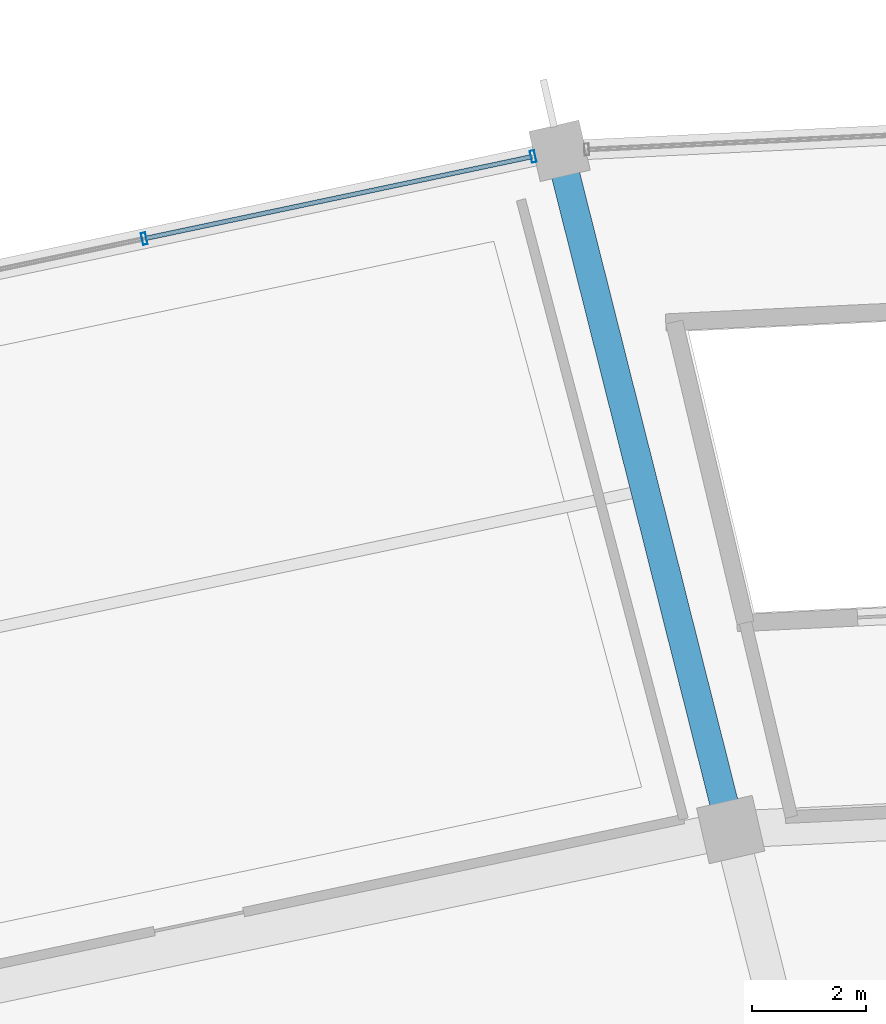
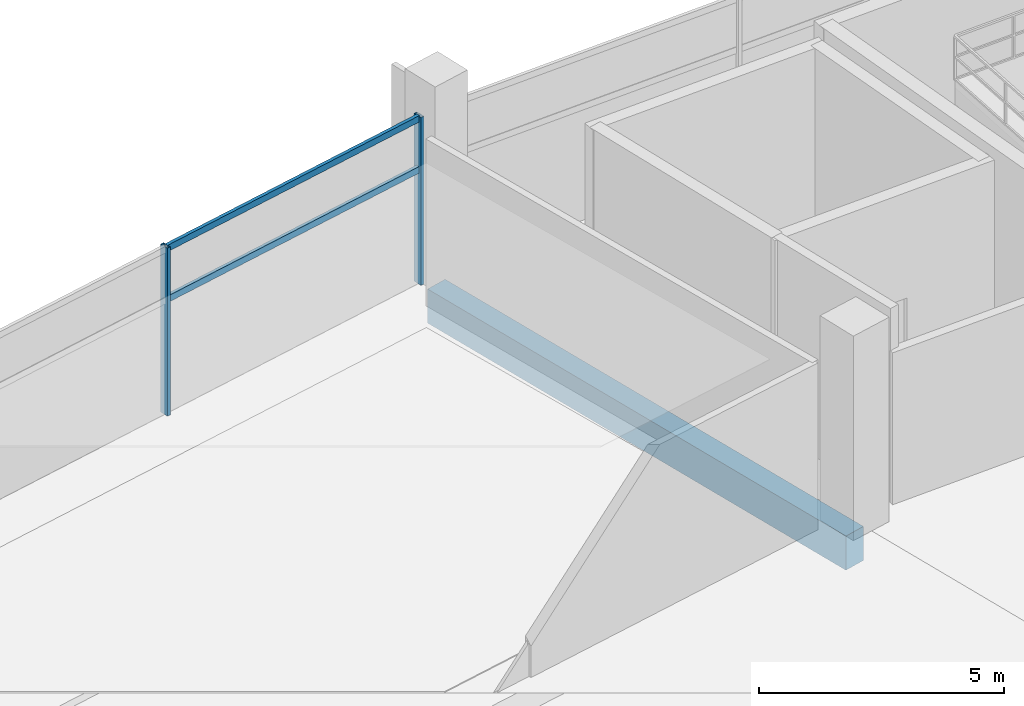
# One storey, part 116 of 184: 4 members, 1 beam, 1 element without a shape of its own.
"""IFC4 building model written with IfcOpenShell, lengths in metres."""

from ifc_helpers import new_model, si_unit, direction, frame, origin, origin_2d, place, context, subcontext, project, spatial, rectangle, hollow_rectangle, extrude, material, layer, layer_set, material_profile, profile_set, type_object, element, aggregate, save


model = new_model("IFC4")

# Units and contexts
model_context = context("Model", 3, precision=1e-05, world=origin(), true_north=direction((0.0, 1.0)))
body_context = subcontext(model_context, "Body", "Model", "MODEL_VIEW")
ifc_project = project(units=[si_unit("LENGTHUNIT", "METRE"), si_unit("AREAUNIT", "SQUARE_METRE"), si_unit("VOLUMEUNIT", "CUBIC_METRE"), si_unit("PLANEANGLEUNIT", "RADIAN"), si_unit("MASSUNIT", "GRAM", prefix="KILO")], contexts=[model_context])

# Site, building, storey
site_placement = place(None, origin())
site = spatial("IfcSite", under=ifc_project, at=site_placement, CompositionType="ELEMENT")
building_placement = place(site_placement, origin())
building = spatial("IfcBuilding", under=site, at=building_placement, Name="Kazemori Nagisa Stadium", CompositionType="ELEMENT")
storey_placement = place(building_placement, frame((0.0, 0.0, 10.5400390625)))
storey = spatial("IfcBuildingStorey", under=building, at=storey_placement, Name="L02", CompositionType="ELEMENT", Elevation=10.5400390625)

# Beam
ifc_material_1 = material(Name="Concrete C40/50 (Fc42)", Category="concrete")
ifc_material_profile_1 = material_profile(ifc_material_1, rectangle(XDim=0.5, YDim=0.85009765625, at=origin_2d()), Name="RC-BM-500x850")
ifc_profile_set_1 = profile_set([ifc_material_profile_1], Name="Concrete C40/50 (Fc42)")
beam_type = type_object("IfcBeamType", Name="Beam_BG-RC500X850", PredefinedType="BEAM", material=ifc_profile_set_1)
beam_placement = place(storey_placement, frame((104.572265625, 175.088623046875, -0.68505859375), z_axis=(-0.244487324834, 0.969652488263, 0.0), x_axis=(-0.969652488263, -0.244487324834, 0.0)))
element("IfcBeam", 1, at=beam_placement, inside=storey, type_object=beam_type, Name="Radial girder BG-RC500X850 L02 R2-R3-09", PredefinedType="BEAM", context=body_context, shape_type="SweptSolid", body=[
    extrude(rectangle(XDim=0.5, YDim=0.85009765625, at=origin_2d()), origin(), (0.0, 0.0, 1.0), 12.2705078125),
])

# Curtain wall, members
ifc_material_2 = material(Name="Anodised aluminium 6063-T5", Category="aluminium")
ifc_layer = layer(ifc_material_2, 0.2099609375, Name="Anodised aluminium 6063-T5", Category="aluminium")
ifc_layer_set = layer_set([ifc_layer], Name="Anodised aluminium 6063-T5")
curtain_wall_type = type_object("IfcCurtainWallType", Name="CW_L02R3_105", PredefinedType="USERDEFINED", material=ifc_layer_set)
curtain_wall_placement = place(storey_placement, origin())
curtain_wall = element("IfcCurtainWall", 2, at=curtain_wall_placement, inside=storey, type_object=curtain_wall_type, Name="Unitised curtain wall CW-L02R3-105 L02", ObjectType="UNITISED CURTAIN WALL", PredefinedType="USERDEFINED")
ifc_material_3 = material(Name="Aluminium 6063-T5 anodised", Category="aluminium")
ifc_material_profile_2 = material_profile(ifc_material_3, hollow_rectangle(XDim=0.080078125, YDim=0.2099609375, WallThickness=0.0048828125, at=origin_2d()), Name="ALU-MULL-80x210x5")
ifc_profile_set_2 = profile_set([ifc_material_profile_2], Name="Aluminium 6063-T5 anodised")
member_type_1 = type_object("IfcMemberType", Name="Mullion_M02", PredefinedType="MULLION", material=ifc_profile_set_2)
member_1_placement = place(storey_placement, frame((101.107666015625, 186.888427734375, 0.0), z_axis=(0.0, 0.0, 1.0), x_axis=(-0.978344955407, -0.206981033502, 0.0)))
member_1 = element("IfcMember", 3, at=member_1_placement, type_object=member_type_1, Name="Curtain wall mullion CW-L02R3-105-M1", PredefinedType="MULLION", context=body_context, shape_type="SweptSolid", body=[
    extrude(hollow_rectangle(XDim=0.080078125, YDim=0.2099609375, WallThickness=0.0048828125, at=origin_2d()), origin(), (0.0, 0.0, 1.0), 4.18994140625),
])
member_2_placement = place(storey_placement, frame((94.291748046875, 185.446533203125, 0.0), z_axis=(0.0, 0.0, 1.0), x_axis=(-0.978344955407, -0.206981033502, 0.0)))
member_2 = element("IfcMember", 4, at=member_2_placement, type_object=member_type_1, Name="Curtain wall mullion CW-L02R3-105-M2", PredefinedType="MULLION", context=body_context, shape_type="SweptSolid", body=[
    extrude(hollow_rectangle(XDim=0.080078125, YDim=0.2099609375, WallThickness=0.0048828125, at=origin_2d()), origin(), (0.0, 0.0, 1.0), 4.18994140625),
])
ifc_material_profile_3 = material_profile(ifc_material_3, hollow_rectangle(XDim=0.080078125, YDim=0.159912109375, WallThickness=0.00390625, at=origin_2d()), Name="ALU-TRAN-80x160x4")
ifc_profile_set_3 = profile_set([ifc_material_profile_3], Name="Aluminium 6063-T5 anodised")
member_type_2 = type_object("IfcMemberType", Name="Transom_T02", PredefinedType="USERDEFINED", material=ifc_profile_set_3)
member_3_placement = place(storey_placement, frame((101.088134765625, 186.88427734375, 2.84912109375), z_axis=(-0.978348879673, -0.20696248366, 0.0), x_axis=(0.20696248366, -0.978348879673, 0.0)))
member_3 = element("IfcMember", 5, at=member_3_placement, type_object=member_type_2, Name="Curtain wall transom CW-L02R3-105-T1-mid", ObjectType="TRANSOM", PredefinedType="USERDEFINED", context=body_context, shape_type="SweptSolid", body=[
    extrude(hollow_rectangle(XDim=0.080078125, YDim=0.159912109375, WallThickness=0.00390625, at=origin_2d()), origin(), (0.0, 0.0, 1.0), 6.9267578125),
])
member_4_placement = place(storey_placement, frame((101.088134765625, 186.88427734375, 4.119873046875), z_axis=(-0.978348879673, -0.20696248366, 0.0), x_axis=(0.20696248366, -0.978348879673, 0.0)))
member_4 = element("IfcMember", 6, at=member_4_placement, type_object=member_type_2, Name="Curtain wall transom CW-L02R3-105-T1-head", ObjectType="TRANSOM", PredefinedType="USERDEFINED", context=body_context, shape_type="SweptSolid", body=[
    extrude(hollow_rectangle(XDim=0.080078125, YDim=0.159912109375, WallThickness=0.00390625, at=origin_2d()), origin(), (0.0, 0.0, 1.0), 6.9267578125),
])
aggregate(curtain_wall, [member_1, member_2, member_3, member_4])

save(model, "model.ifc")
